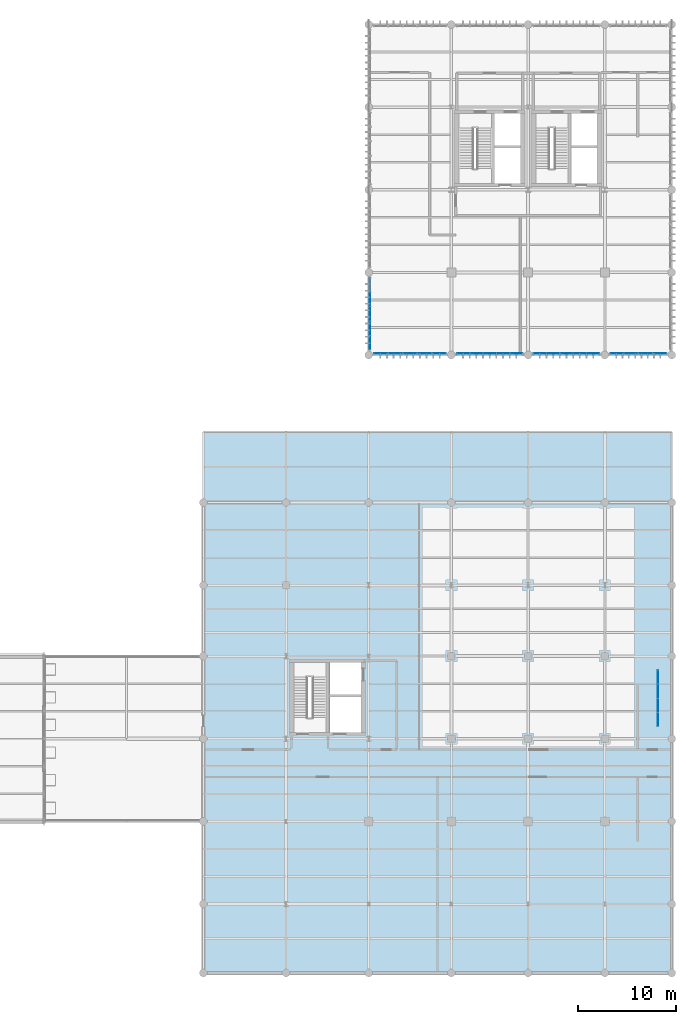
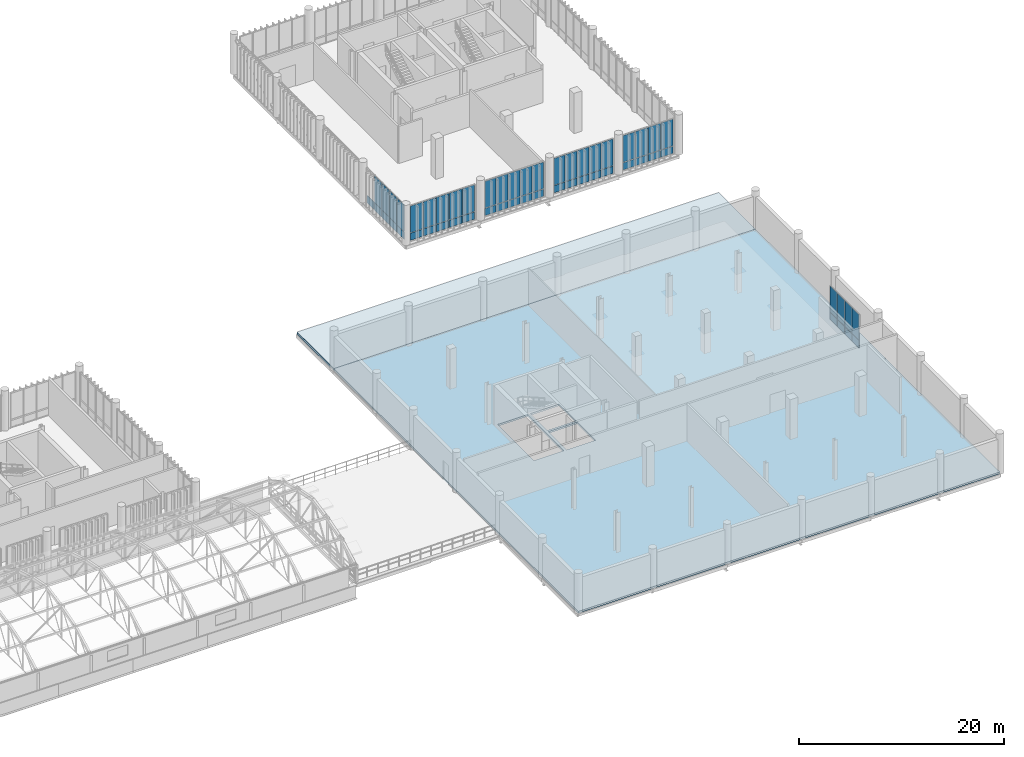
# One storey, part 85 of 109: 55 plates, 2 slabs, 6 elements without a shape of their own.
"""IFC4 building model written with IfcOpenShell, lengths in metres."""

from ifc_helpers import new_model, si_unit, direction, frame, frame_2d, origin_with_axes, place, context, subcontext, project, spatial, polyline, rectangle, outline, extrude, material, layer, layer_set, type_object, element, aggregate, save


model = new_model("IFC4")

# Units and contexts
model_context = context("Model", 3, precision=1e-05, world=origin_with_axes(), true_north=direction((0.0, 1.0)))
body_context = subcontext(model_context, "Body", "Model", "MODEL_VIEW")
ifc_project = project(units=[si_unit("LENGTHUNIT", "METRE"), si_unit("AREAUNIT", "SQUARE_METRE"), si_unit("VOLUMEUNIT", "CUBIC_METRE"), si_unit("PLANEANGLEUNIT", "RADIAN"), si_unit("MASSUNIT", "GRAM", prefix="KILO"), si_unit("THERMODYNAMICTEMPERATUREUNIT", "KELVIN")], contexts=[model_context])

# Site, building, storey
site_placement = place(None, origin_with_axes())
site = spatial("IfcSite", under=ifc_project, at=site_placement, CompositionType="ELEMENT")
building_placement = place(site_placement, origin_with_axes())
building = spatial("IfcBuilding", under=site, at=building_placement, Name="Montbau Bow Law Courts", CompositionType="ELEMENT")
storey_placement = place(building_placement, frame((0.0, 0.0, 10.8), z_axis=(0.0, 0.0, 1.0), x_axis=(1.0, 0.0, 0.0)))
storey = spatial("IfcBuildingStorey", under=building, at=storey_placement, Name="L02", CompositionType="ELEMENT", Elevation=10.8)

# Curtain wall, plates
ifc_material_1 = material(Name="Thermally Broken Extruded Aluminium AA 6063-T6", Category="aluminium")
curtain_wall_type_1 = type_object("IfcCurtainWallType", Name="CW-SLT-01", PredefinedType="NOTDEFINED", material=ifc_material_1)
curtain_wall_1_placement = place(None, frame((139.115, 69.74, 10.8), z_axis=(0.0, 0.0, 1.0), x_axis=(1.0, 0.0, 0.0)))
curtain_wall_1 = element("IfcCurtainWall", 1, at=curtain_wall_1_placement, inside=storey, type_object=curtain_wall_type_1, Name="CW-L02-293:cw_0293", PredefinedType="NOTDEFINED")
ifc_material_2 = material(Name="Triple-Glazed Low-E Argon Insulating Glass Unit", Category="glass")
ifc_layer_1 = layer(ifc_material_2, 0.044, Name="Curtain Panel", Category="glass")
ifc_layer_set_1 = layer_set([ifc_layer_1], Name="Triple-Glazed Low-E Argon Insulating Glass Unit")
plate_type_1 = type_object("IfcPlateType", Name="PL-CWP-01", PredefinedType="CURTAIN_PANEL", material=ifc_layer_set_1)
plate_1_placement = place(None, frame((139.177, 69.74, 11.78), z_axis=(0.0, -1.0, 0.0), x_axis=(1.0, 0.0, 0.0)))
plate_1 = element("IfcPlate", 2, at=plate_1_placement, type_object=plate_type_1, Name="CW-L02-293-P01-2:cw_0293_P01_2", PredefinedType="CURTAIN_PANEL", context=body_context, shape_type="SweptSolid", body=[
    extrude(rectangle(XDim=1.38, YDim=3.183, at=frame_2d((0.69, 1.5915), x_axis=(1.0, 0.0))), frame((0.0, 0.0, -0.022), z_axis=(0.0, 0.0, 1.0), x_axis=(1.0, 0.0, 0.0)), (0.0, 0.0, 1.0), 0.044),
])
plate_2_placement = place(None, frame((140.621, 69.74, 11.78), z_axis=(0.0, -1.0, 0.0), x_axis=(1.0, 0.0, 0.0)))
plate_2 = element("IfcPlate", 3, at=plate_2_placement, type_object=plate_type_1, Name="CW-L02-293-P02-2:cw_0293_P02_2", PredefinedType="CURTAIN_PANEL", context=body_context, shape_type="SweptSolid", body=[
    extrude(rectangle(XDim=1.41, YDim=3.183, at=frame_2d((0.705, 1.5915), x_axis=(1.0, 0.0))), frame((0.0, 0.0, -0.022), z_axis=(0.0, 0.0, 1.0), x_axis=(1.0, 0.0, 0.0)), (0.0, 0.0, 1.0), 0.044),
])
plate_3_placement = place(None, frame((142.095, 69.74, 11.78), z_axis=(0.0, -1.0, 0.0), x_axis=(1.0, 0.0, 0.0)))
plate_3 = element("IfcPlate", 4, at=plate_3_placement, type_object=plate_type_1, Name="CW-L02-293-P03-2:cw_0293_P03_2", PredefinedType="CURTAIN_PANEL", context=body_context, shape_type="SweptSolid", body=[
    extrude(rectangle(XDim=1.41, YDim=3.183, at=frame_2d((0.705, 1.5915), x_axis=(1.0, 0.0))), frame((0.0, 0.0, -0.022), z_axis=(0.0, 0.0, 1.0), x_axis=(1.0, 0.0, 0.0)), (0.0, 0.0, 1.0), 0.044),
])
plate_4_placement = place(None, frame((143.569, 69.74, 11.78), z_axis=(0.0, -1.0, 0.0), x_axis=(1.0, 0.0, 0.0)))
plate_4 = element("IfcPlate", 5, at=plate_4_placement, type_object=plate_type_1, Name="CW-L02-293-P04-2:cw_0293_P04_2", PredefinedType="CURTAIN_PANEL", context=body_context, shape_type="SweptSolid", body=[
    extrude(rectangle(XDim=1.41, YDim=3.183, at=frame_2d((0.705, 1.5915), x_axis=(1.0, 0.0))), frame((0.0, 0.0, -0.022), z_axis=(0.0, 0.0, 1.0), x_axis=(1.0, 0.0, 0.0)), (0.0, 0.0, 1.0), 0.044),
])
plate_5_placement = place(None, frame((145.043, 69.74, 11.78), z_axis=(0.0, -1.0, 0.0), x_axis=(1.0, 0.0, 0.0)))
plate_5 = element("IfcPlate", 6, at=plate_5_placement, type_object=plate_type_1, Name="CW-L02-293-P05-2:cw_0293_P05_2", PredefinedType="CURTAIN_PANEL", context=body_context, shape_type="SweptSolid", body=[
    extrude(rectangle(XDim=1.38, YDim=3.183, at=frame_2d((0.69, 1.5915), x_axis=(1.0, 0.0))), frame((0.0, 0.0, -0.022), z_axis=(0.0, 0.0, 1.0), x_axis=(1.0, 0.0, 0.0)), (0.0, 0.0, 1.0), 0.044),
])

curtain_wall_2_placement = place(None, frame((147.515, 69.74, 10.8), z_axis=(0.0, 0.0, 1.0), x_axis=(1.0, 0.0, 0.0)))
curtain_wall_2 = element("IfcCurtainWall", 7, at=curtain_wall_2_placement, inside=storey, type_object=curtain_wall_type_1, Name="CW-L02-294:cw_0294", PredefinedType="NOTDEFINED")
plate_6_placement = place(None, frame((147.591, 69.74, 11.782), z_axis=(0.0, -1.0, 0.0), x_axis=(1.0, 0.0, 0.0)))
plate_6 = element("IfcPlate", 8, at=plate_6_placement, type_object=plate_type_1, Name="CW-L02-294-P01-2:cw_0294_P01_2", PredefinedType="CURTAIN_PANEL", context=body_context, shape_type="SweptSolid", body=[
    extrude(rectangle(XDim=1.239, YDim=3.176, at=frame_2d((0.6195, 1.588), x_axis=(1.0, 0.0))), frame((0.0, 0.0, -0.022), z_axis=(0.0, 0.0, 1.0), x_axis=(1.0, 0.0, 0.0)), (0.0, 0.0, 1.0), 0.044),
])
plate_7_placement = place(None, frame((148.909, 69.74, 11.782), z_axis=(0.0, -1.0, 0.0), x_axis=(1.0, 0.0, 0.0)))
plate_7 = element("IfcPlate", 9, at=plate_7_placement, type_object=plate_type_1, Name="CW-L02-294-P02-2:cw_0294_P02_2", PredefinedType="CURTAIN_PANEL", context=body_context, shape_type="SweptSolid", body=[
    extrude(rectangle(XDim=1.275, YDim=3.176, at=frame_2d((0.6375, 1.588), x_axis=(1.0, 0.0))), frame((0.0, 0.0, -0.022), z_axis=(0.0, 0.0, 1.0), x_axis=(1.0, 0.0, 0.0)), (0.0, 0.0, 1.0), 0.044),
])
plate_8_placement = place(None, frame((150.263, 69.74, 11.782), z_axis=(0.0, -1.0, 0.0), x_axis=(1.0, 0.0, 0.0)))
plate_8 = element("IfcPlate", 10, at=plate_8_placement, type_object=plate_type_1, Name="CW-L02-294-P03-2:cw_0294_P03_2", PredefinedType="CURTAIN_PANEL", context=body_context, shape_type="SweptSolid", body=[
    extrude(rectangle(XDim=1.275, YDim=3.176, at=frame_2d((0.6375, 1.588), x_axis=(1.0, 0.0))), frame((0.0, 0.0, -0.022), z_axis=(0.0, 0.0, 1.0), x_axis=(1.0, 0.0, 0.0)), (0.0, 0.0, 1.0), 0.044),
])
plate_9_placement = place(None, frame((151.616, 69.74, 11.782), z_axis=(0.0, -1.0, 0.0), x_axis=(1.0, 0.0, 0.0)))
plate_9 = element("IfcPlate", 11, at=plate_9_placement, type_object=plate_type_1, Name="CW-L02-294-P04-2:cw_0294_P04_2", PredefinedType="CURTAIN_PANEL", context=body_context, shape_type="SweptSolid", body=[
    extrude(rectangle(XDim=1.276, YDim=3.176, at=frame_2d((0.638, 1.588), x_axis=(1.0, 0.0))), frame((0.0, 0.0, -0.022), z_axis=(0.0, 0.0, 1.0), x_axis=(1.0, 0.0, 0.0)), (0.0, 0.0, 1.0), 0.044),
])
plate_10_placement = place(None, frame((152.97, 69.74, 11.782), z_axis=(0.0, -1.0, 0.0), x_axis=(1.0, 0.0, 0.0)))
plate_10 = element("IfcPlate", 12, at=plate_10_placement, type_object=plate_type_1, Name="CW-L02-294-P05-2:cw_0294_P05_2", PredefinedType="CURTAIN_PANEL", context=body_context, shape_type="SweptSolid", body=[
    extrude(rectangle(XDim=1.239, YDim=3.176, at=frame_2d((0.6195, 1.588), x_axis=(1.0, 0.0))), frame((0.0, 0.0, -0.022), z_axis=(0.0, 0.0, 1.0), x_axis=(1.0, 0.0, 0.0)), (0.0, 0.0, 1.0), 0.044),
])

curtain_wall_3_placement = place(None, frame((155.315, 69.74, 10.8), z_axis=(0.0, 0.0, 1.0), x_axis=(1.0, 0.0, 0.0)))
curtain_wall_3 = element("IfcCurtainWall", 13, at=curtain_wall_3_placement, inside=storey, type_object=curtain_wall_type_1, Name="CW-L02-295:cw_0295", PredefinedType="NOTDEFINED")
plate_11_placement = place(None, frame((155.383, 69.74, 11.78), z_axis=(0.0, -1.0, 0.0), x_axis=(1.0, 0.0, 0.0)))
plate_11 = element("IfcPlate", 14, at=plate_11_placement, type_object=plate_type_1, Name="CW-L02-295-P01-2:cw_0295_P01_2", PredefinedType="CURTAIN_PANEL", context=body_context, shape_type="SweptSolid", body=[
    extrude(rectangle(XDim=1.252, YDim=3.183, at=frame_2d((0.626, 1.5915), x_axis=(1.0, 0.0))), frame((0.0, 0.0, -0.022), z_axis=(0.0, 0.0, 1.0), x_axis=(1.0, 0.0, 0.0)), (0.0, 0.0, 1.0), 0.044),
])
plate_12_placement = place(None, frame((156.704, 69.74, 11.78), z_axis=(0.0, -1.0, 0.0), x_axis=(1.0, 0.0, 0.0)))
plate_12 = element("IfcPlate", 15, at=plate_12_placement, type_object=plate_type_1, Name="CW-L02-295-P02-2:cw_0295_P02_2", PredefinedType="CURTAIN_PANEL", context=body_context, shape_type="SweptSolid", body=[
    extrude(rectangle(XDim=1.285, YDim=3.183, at=frame_2d((0.6425, 1.5915), x_axis=(1.0, 0.0))), frame((0.0, 0.0, -0.022), z_axis=(0.0, 0.0, 1.0), x_axis=(1.0, 0.0, 0.0)), (0.0, 0.0, 1.0), 0.044),
])
plate_13_placement = place(None, frame((158.058, 69.74, 11.78), z_axis=(0.0, -1.0, 0.0), x_axis=(1.0, 0.0, 0.0)))
plate_13 = element("IfcPlate", 16, at=plate_13_placement, type_object=plate_type_1, Name="CW-L02-295-P03-2:cw_0295_P03_2", PredefinedType="CURTAIN_PANEL", context=body_context, shape_type="SweptSolid", body=[
    extrude(rectangle(XDim=1.285, YDim=3.183, at=frame_2d((0.6425, 1.5915), x_axis=(1.0, 0.0))), frame((0.0, 0.0, -0.022), z_axis=(0.0, 0.0, 1.0), x_axis=(1.0, 0.0, 0.0)), (0.0, 0.0, 1.0), 0.044),
])
plate_14_placement = place(None, frame((159.411, 69.74, 11.78), z_axis=(0.0, -1.0, 0.0), x_axis=(1.0, 0.0, 0.0)))
plate_14 = element("IfcPlate", 17, at=plate_14_placement, type_object=plate_type_1, Name="CW-L02-295-P04-2:cw_0295_P04_2", PredefinedType="CURTAIN_PANEL", context=body_context, shape_type="SweptSolid", body=[
    extrude(rectangle(XDim=1.286, YDim=3.183, at=frame_2d((0.643, 1.5915), x_axis=(1.0, 0.0))), frame((0.0, 0.0, -0.022), z_axis=(0.0, 0.0, 1.0), x_axis=(1.0, 0.0, 0.0)), (0.0, 0.0, 1.0), 0.044),
])
plate_15_placement = place(None, frame((160.765, 69.74, 11.78), z_axis=(0.0, -1.0, 0.0), x_axis=(1.0, 0.0, 0.0)))
plate_15 = element("IfcPlate", 18, at=plate_15_placement, type_object=plate_type_1, Name="CW-L02-295-P05-2:cw_0295_P05_2", PredefinedType="CURTAIN_PANEL", context=body_context, shape_type="SweptSolid", body=[
    extrude(rectangle(XDim=1.254, YDim=3.183, at=frame_2d((0.627, 1.5915), x_axis=(1.0, 0.0))), frame((0.0, 0.0, -0.022), z_axis=(0.0, 0.0, 1.0), x_axis=(1.0, 0.0, 0.0)), (0.0, 0.0, 1.0), 0.044),
])

curtain_wall_4_placement = place(None, frame((163.115, 69.74, 10.8), z_axis=(0.0, 0.0, 1.0), x_axis=(1.0, 0.0, 0.0)))
curtain_wall_4 = element("IfcCurtainWall", 19, at=curtain_wall_4_placement, inside=storey, type_object=curtain_wall_type_1, Name="CW-L02-296:cw_0296", PredefinedType="NOTDEFINED")
plate_16_placement = place(None, frame((163.177, 69.74, 11.782), z_axis=(0.0, -1.0, 0.0), x_axis=(1.0, 0.0, 0.0)))
plate_16 = element("IfcPlate", 20, at=plate_16_placement, type_object=plate_type_1, Name="CW-L02-296-P01-2:cw_0296_P01_2", PredefinedType="CURTAIN_PANEL", context=body_context, shape_type="SweptSolid", body=[
    extrude(rectangle(XDim=1.348, YDim=3.176, at=frame_2d((0.674, 1.588), x_axis=(1.0, 0.0))), frame((0.0, 0.0, -0.022), z_axis=(0.0, 0.0, 1.0), x_axis=(1.0, 0.0, 0.0)), (0.0, 0.0, 1.0), 0.044),
])
plate_17_placement = place(None, frame((164.589, 69.74, 11.782), z_axis=(0.0, -1.0, 0.0), x_axis=(1.0, 0.0, 0.0)))
plate_17 = element("IfcPlate", 21, at=plate_17_placement, type_object=plate_type_1, Name="CW-L02-296-P02-2:cw_0296_P02_2", PredefinedType="CURTAIN_PANEL", context=body_context, shape_type="SweptSolid", body=[
    extrude(rectangle(XDim=1.379, YDim=3.176, at=frame_2d((0.6895, 1.588), x_axis=(1.0, 0.0))), frame((0.0, 0.0, -0.022), z_axis=(0.0, 0.0, 1.0), x_axis=(1.0, 0.0, 0.0)), (0.0, 0.0, 1.0), 0.044),
])
plate_18_placement = place(None, frame((166.032, 69.74, 11.782), z_axis=(0.0, -1.0, 0.0), x_axis=(1.0, 0.0, 0.0)))
plate_18 = element("IfcPlate", 22, at=plate_18_placement, type_object=plate_type_1, Name="CW-L02-296-P03-2:cw_0296_P03_2", PredefinedType="CURTAIN_PANEL", context=body_context, shape_type="SweptSolid", body=[
    extrude(rectangle(XDim=1.378, YDim=3.176, at=frame_2d((0.689, 1.588), x_axis=(1.0, 0.0))), frame((0.0, 0.0, -0.022), z_axis=(0.0, 0.0, 1.0), x_axis=(1.0, 0.0, 0.0)), (0.0, 0.0, 1.0), 0.044),
])
plate_19_placement = place(None, frame((167.474, 69.74, 11.782), z_axis=(0.0, -1.0, 0.0), x_axis=(1.0, 0.0, 0.0)))
plate_19 = element("IfcPlate", 23, at=plate_19_placement, type_object=plate_type_1, Name="CW-L02-296-P04-2:cw_0296_P04_2", PredefinedType="CURTAIN_PANEL", context=body_context, shape_type="SweptSolid", body=[
    extrude(rectangle(XDim=1.349, YDim=3.176, at=frame_2d((0.6745, 1.588), x_axis=(1.0, 0.0))), frame((0.0, 0.0, -0.022), z_axis=(0.0, 0.0, 1.0), x_axis=(1.0, 0.0, 0.0)), (0.0, 0.0, 1.0), 0.044),
])

curtain_wall_5_placement = place(None, frame((138.74, 70.115, 10.8), z_axis=(0.0, 0.0, 1.0), x_axis=(1.0, 0.0, 0.0)))
curtain_wall_5 = element("IfcCurtainWall", 24, at=curtain_wall_5_placement, inside=storey, type_object=curtain_wall_type_1, Name="CW-L02-301:cw_0301", PredefinedType="NOTDEFINED")
plate_20_placement = place(None, frame((138.74, 70.183, 11.78), z_axis=(1.0, 0.0, 0.0), x_axis=(0.0, 1.0, 0.0)))
plate_20 = element("IfcPlate", 25, at=plate_20_placement, type_object=plate_type_1, Name="CW-L02-301-P01-2:cw_0301_P01_2", PredefinedType="CURTAIN_PANEL", context=body_context, shape_type="SweptSolid", body=[
    extrude(rectangle(XDim=1.372, YDim=3.183, at=frame_2d((0.686, 1.5915), x_axis=(1.0, 0.0))), frame((0.0, 0.0, -0.022), z_axis=(0.0, 0.0, 1.0), x_axis=(1.0, 0.0, 0.0)), (0.0, 0.0, 1.0), 0.044),
])
plate_21_placement = place(None, frame((138.74, 71.623, 11.78), z_axis=(1.0, 0.0, 0.0), x_axis=(0.0, 1.0, 0.0)))
plate_21 = element("IfcPlate", 26, at=plate_21_placement, type_object=plate_type_1, Name="CW-L02-301-P02-2:cw_0301_P02_2", PredefinedType="CURTAIN_PANEL", context=body_context, shape_type="SweptSolid", body=[
    extrude(rectangle(XDim=1.405, YDim=3.183, at=frame_2d((0.7025, 1.5915), x_axis=(1.0, 0.0))), frame((0.0, 0.0, -0.022), z_axis=(0.0, 0.0, 1.0), x_axis=(1.0, 0.0, 0.0)), (0.0, 0.0, 1.0), 0.044),
])
plate_22_placement = place(None, frame((138.74, 73.097, 11.78), z_axis=(1.0, 0.0, 0.0), x_axis=(0.0, 1.0, 0.0)))
plate_22 = element("IfcPlate", 27, at=plate_22_placement, type_object=plate_type_1, Name="CW-L02-301-P03-2:cw_0301_P03_2", PredefinedType="CURTAIN_PANEL", context=body_context, shape_type="SweptSolid", body=[
    extrude(rectangle(XDim=1.406, YDim=3.183, at=frame_2d((0.703, 1.5915), x_axis=(1.0, 0.0))), frame((0.0, 0.0, -0.022), z_axis=(0.0, 0.0, 1.0), x_axis=(1.0, 0.0, 0.0)), (0.0, 0.0, 1.0), 0.044),
])
plate_23_placement = place(None, frame((138.74, 74.571, 11.78), z_axis=(1.0, 0.0, 0.0), x_axis=(0.0, 1.0, 0.0)))
plate_23 = element("IfcPlate", 28, at=plate_23_placement, type_object=plate_type_1, Name="CW-L02-301-P04-2:cw_0301_P04_2", PredefinedType="CURTAIN_PANEL", context=body_context, shape_type="SweptSolid", body=[
    extrude(rectangle(XDim=1.406, YDim=3.183, at=frame_2d((0.703, 1.5915), x_axis=(1.0, 0.0))), frame((0.0, 0.0, -0.022), z_axis=(0.0, 0.0, 1.0), x_axis=(1.0, 0.0, 0.0)), (0.0, 0.0, 1.0), 0.044),
])

curtain_wall_type_2 = type_object("IfcCurtainWallType", Name="CW-COR-01", PredefinedType="NOTDEFINED", material=ifc_material_1)
curtain_wall_6_placement = place(None, frame((168.0, 31.8, 10.8), z_axis=(0.0, 0.0, 1.0), x_axis=(1.0, 0.0, 0.0)))
curtain_wall_6 = element("IfcCurtainWall", 29, at=curtain_wall_6_placement, inside=storey, type_object=curtain_wall_type_2, Name="CW-L02-413:cw_0413", PredefinedType="NOTDEFINED")
plate_24_placement = place(None, frame((168.0, 31.862, 11.78), z_axis=(1.0, 0.0, 0.0), x_axis=(0.0, 1.0, 0.0)))
plate_24 = element("IfcPlate", 30, at=plate_24_placement, type_object=plate_type_1, Name="CW-L02-413-P01-2:cw_0413_P01_2", PredefinedType="CURTAIN_PANEL", context=body_context, shape_type="SweptSolid", body=[
    extrude(rectangle(XDim=1.356, YDim=3.063, at=frame_2d((0.678, 1.5315), x_axis=(1.0, 0.0))), frame((0.0, 0.0, -0.022), z_axis=(0.0, 0.0, 1.0), x_axis=(1.0, 0.0, 0.0)), (0.0, 0.0, 1.0), 0.044),
])
plate_25_placement = place(None, frame((168.0, 33.282, 11.78), z_axis=(1.0, 0.0, 0.0), x_axis=(0.0, 1.0, 0.0)))
plate_25 = element("IfcPlate", 31, at=plate_25_placement, type_object=plate_type_1, Name="CW-L02-413-P02-2:cw_0413_P02_2", PredefinedType="CURTAIN_PANEL", context=body_context, shape_type="SweptSolid", body=[
    extrude(rectangle(XDim=1.386, YDim=3.063, at=frame_2d((0.693, 1.5315), x_axis=(1.0, 0.0))), frame((0.0, 0.0, -0.022), z_axis=(0.0, 0.0, 1.0), x_axis=(1.0, 0.0, 0.0)), (0.0, 0.0, 1.0), 0.044),
])
plate_26_placement = place(None, frame((168.0, 34.732, 11.78), z_axis=(1.0, 0.0, 0.0), x_axis=(0.0, 1.0, 0.0)))
plate_26 = element("IfcPlate", 32, at=plate_26_placement, type_object=plate_type_1, Name="CW-L02-413-P03-2:cw_0413_P03_2", PredefinedType="CURTAIN_PANEL", context=body_context, shape_type="SweptSolid", body=[
    extrude(rectangle(XDim=1.386, YDim=3.063, at=frame_2d((0.693, 1.5315), x_axis=(1.0, 0.0))), frame((0.0, 0.0, -0.022), z_axis=(0.0, 0.0, 1.0), x_axis=(1.0, 0.0, 0.0)), (0.0, 0.0, 1.0), 0.044),
])
plate_27_placement = place(None, frame((168.0, 36.182, 11.78), z_axis=(1.0, 0.0, 0.0), x_axis=(0.0, 1.0, 0.0)))
plate_27 = element("IfcPlate", 33, at=plate_27_placement, type_object=plate_type_1, Name="CW-L02-413-P04-2:cw_0413_P04_2", PredefinedType="CURTAIN_PANEL", context=body_context, shape_type="SweptSolid", body=[
    extrude(rectangle(XDim=1.356, YDim=3.063, at=frame_2d((0.678, 1.5315), x_axis=(1.0, 0.0))), frame((0.0, 0.0, -0.022), z_axis=(0.0, 0.0, 1.0), x_axis=(1.0, 0.0, 0.0)), (0.0, 0.0, 1.0), 0.044),
])

# Plate
ifc_material_3 = material(Name="Insulated Ceramic-Frit Spandrel Glazing Unit", Category="glass")
ifc_layer_2 = layer(ifc_material_3, 0.056, Name="Curtain Panel", Category="glass")
ifc_layer_set_2 = layer_set([ifc_layer_2], Name="Insulated Ceramic-Frit Spandrel Glazing Unit")
plate_type_2 = type_object("IfcPlateType", Name="PL-CWP-02", PredefinedType="CURTAIN_PANEL", material=ifc_layer_set_2)
plate_28_placement = place(None, frame((139.177, 69.74, 10.857), z_axis=(0.0, -1.0, 0.0), x_axis=(1.0, 0.0, 0.0)))
plate_28 = element("IfcPlate", 34, at=plate_28_placement, type_object=plate_type_2, Name="CW-L02-293-P01-1:cw_0293_P01_1", PredefinedType="CURTAIN_PANEL", context=body_context, shape_type="SweptSolid", body=[
    extrude(rectangle(XDim=1.38, YDim=0.863, at=frame_2d((0.69, 0.4315), x_axis=(1.0, 0.0))), frame((0.0, 0.0, -0.028), z_axis=(0.0, 0.0, 1.0), x_axis=(1.0, 0.0, 0.0)), (0.0, 0.0, 1.0), 0.056),
])

plate_29_placement = place(None, frame((140.621, 69.74, 10.857), z_axis=(0.0, -1.0, 0.0), x_axis=(1.0, 0.0, 0.0)))
plate_29 = element("IfcPlate", 35, at=plate_29_placement, type_object=plate_type_2, Name="CW-L02-293-P02-1:cw_0293_P02_1", PredefinedType="CURTAIN_PANEL", context=body_context, shape_type="SweptSolid", body=[
    extrude(rectangle(XDim=1.41, YDim=0.863, at=frame_2d((0.705, 0.4315), x_axis=(1.0, 0.0))), frame((0.0, 0.0, -0.028), z_axis=(0.0, 0.0, 1.0), x_axis=(1.0, 0.0, 0.0)), (0.0, 0.0, 1.0), 0.056),
])

plate_30_placement = place(None, frame((142.095, 69.74, 10.857), z_axis=(0.0, -1.0, 0.0), x_axis=(1.0, 0.0, 0.0)))
plate_30 = element("IfcPlate", 36, at=plate_30_placement, type_object=plate_type_2, Name="CW-L02-293-P03-1:cw_0293_P03_1", PredefinedType="CURTAIN_PANEL", context=body_context, shape_type="SweptSolid", body=[
    extrude(rectangle(XDim=1.41, YDim=0.863, at=frame_2d((0.705, 0.4315), x_axis=(1.0, 0.0))), frame((0.0, 0.0, -0.028), z_axis=(0.0, 0.0, 1.0), x_axis=(1.0, 0.0, 0.0)), (0.0, 0.0, 1.0), 0.056),
])

plate_31_placement = place(None, frame((143.569, 69.74, 10.857), z_axis=(0.0, -1.0, 0.0), x_axis=(1.0, 0.0, 0.0)))
plate_31 = element("IfcPlate", 37, at=plate_31_placement, type_object=plate_type_2, Name="CW-L02-293-P04-1:cw_0293_P04_1", PredefinedType="CURTAIN_PANEL", context=body_context, shape_type="SweptSolid", body=[
    extrude(rectangle(XDim=1.41, YDim=0.863, at=frame_2d((0.705, 0.4315), x_axis=(1.0, 0.0))), frame((0.0, 0.0, -0.028), z_axis=(0.0, 0.0, 1.0), x_axis=(1.0, 0.0, 0.0)), (0.0, 0.0, 1.0), 0.056),
])

plate_32_placement = place(None, frame((145.043, 69.74, 10.857), z_axis=(0.0, -1.0, 0.0), x_axis=(1.0, 0.0, 0.0)))
plate_32 = element("IfcPlate", 38, at=plate_32_placement, type_object=plate_type_2, Name="CW-L02-293-P05-1:cw_0293_P05_1", PredefinedType="CURTAIN_PANEL", context=body_context, shape_type="SweptSolid", body=[
    extrude(rectangle(XDim=1.38, YDim=0.863, at=frame_2d((0.69, 0.4315), x_axis=(1.0, 0.0))), frame((0.0, 0.0, -0.028), z_axis=(0.0, 0.0, 1.0), x_axis=(1.0, 0.0, 0.0)), (0.0, 0.0, 1.0), 0.056),
])

aggregate(curtain_wall_1, [plate_28, plate_1, plate_29, plate_2, plate_30, plate_3, plate_31, plate_4, plate_32, plate_5])

plate_33_placement = place(None, frame((147.591, 69.74, 10.862), z_axis=(0.0, -1.0, 0.0), x_axis=(1.0, 0.0, 0.0)))
plate_33 = element("IfcPlate", 39, at=plate_33_placement, type_object=plate_type_2, Name="CW-L02-294-P01-1:cw_0294_P01_1", PredefinedType="CURTAIN_PANEL", context=body_context, shape_type="SweptSolid", body=[
    extrude(rectangle(XDim=1.239, YDim=0.856, at=frame_2d((0.6195, 0.428), x_axis=(1.0, 0.0))), frame((0.0, 0.0, -0.028), z_axis=(0.0, 0.0, 1.0), x_axis=(1.0, 0.0, 0.0)), (0.0, 0.0, 1.0), 0.056),
])

plate_34_placement = place(None, frame((148.909, 69.74, 10.862), z_axis=(0.0, -1.0, 0.0), x_axis=(1.0, 0.0, 0.0)))
plate_34 = element("IfcPlate", 40, at=plate_34_placement, type_object=plate_type_2, Name="CW-L02-294-P02-1:cw_0294_P02_1", PredefinedType="CURTAIN_PANEL", context=body_context, shape_type="SweptSolid", body=[
    extrude(rectangle(XDim=1.275, YDim=0.856, at=frame_2d((0.6375, 0.428), x_axis=(1.0, 0.0))), frame((0.0, 0.0, -0.028), z_axis=(0.0, 0.0, 1.0), x_axis=(1.0, 0.0, 0.0)), (0.0, 0.0, 1.0), 0.056),
])

plate_35_placement = place(None, frame((150.263, 69.74, 10.862), z_axis=(0.0, -1.0, 0.0), x_axis=(1.0, 0.0, 0.0)))
plate_35 = element("IfcPlate", 41, at=plate_35_placement, type_object=plate_type_2, Name="CW-L02-294-P03-1:cw_0294_P03_1", PredefinedType="CURTAIN_PANEL", context=body_context, shape_type="SweptSolid", body=[
    extrude(rectangle(XDim=1.275, YDim=0.856, at=frame_2d((0.6375, 0.428), x_axis=(1.0, 0.0))), frame((0.0, 0.0, -0.028), z_axis=(0.0, 0.0, 1.0), x_axis=(1.0, 0.0, 0.0)), (0.0, 0.0, 1.0), 0.056),
])

plate_36_placement = place(None, frame((151.616, 69.74, 10.862), z_axis=(0.0, -1.0, 0.0), x_axis=(1.0, 0.0, 0.0)))
plate_36 = element("IfcPlate", 42, at=plate_36_placement, type_object=plate_type_2, Name="CW-L02-294-P04-1:cw_0294_P04_1", PredefinedType="CURTAIN_PANEL", context=body_context, shape_type="SweptSolid", body=[
    extrude(rectangle(XDim=1.276, YDim=0.856, at=frame_2d((0.638, 0.428), x_axis=(1.0, 0.0))), frame((0.0, 0.0, -0.028), z_axis=(0.0, 0.0, 1.0), x_axis=(1.0, 0.0, 0.0)), (0.0, 0.0, 1.0), 0.056),
])

plate_37_placement = place(None, frame((152.97, 69.74, 10.862), z_axis=(0.0, -1.0, 0.0), x_axis=(1.0, 0.0, 0.0)))
plate_37 = element("IfcPlate", 43, at=plate_37_placement, type_object=plate_type_2, Name="CW-L02-294-P05-1:cw_0294_P05_1", PredefinedType="CURTAIN_PANEL", context=body_context, shape_type="SweptSolid", body=[
    extrude(rectangle(XDim=1.239, YDim=0.856, at=frame_2d((0.6195, 0.428), x_axis=(1.0, 0.0))), frame((0.0, 0.0, -0.028), z_axis=(0.0, 0.0, 1.0), x_axis=(1.0, 0.0, 0.0)), (0.0, 0.0, 1.0), 0.056),
])

aggregate(curtain_wall_2, [plate_33, plate_6, plate_34, plate_7, plate_35, plate_8, plate_36, plate_9, plate_37, plate_10])

plate_38_placement = place(None, frame((155.383, 69.74, 10.857), z_axis=(0.0, -1.0, 0.0), x_axis=(1.0, 0.0, 0.0)))
plate_38 = element("IfcPlate", 44, at=plate_38_placement, type_object=plate_type_2, Name="CW-L02-295-P01-1:cw_0295_P01_1", PredefinedType="CURTAIN_PANEL", context=body_context, shape_type="SweptSolid", body=[
    extrude(rectangle(XDim=1.252, YDim=0.863, at=frame_2d((0.626, 0.4315), x_axis=(1.0, 0.0))), frame((0.0, 0.0, -0.028), z_axis=(0.0, 0.0, 1.0), x_axis=(1.0, 0.0, 0.0)), (0.0, 0.0, 1.0), 0.056),
])

plate_39_placement = place(None, frame((156.704, 69.74, 10.857), z_axis=(0.0, -1.0, 0.0), x_axis=(1.0, 0.0, 0.0)))
plate_39 = element("IfcPlate", 45, at=plate_39_placement, type_object=plate_type_2, Name="CW-L02-295-P02-1:cw_0295_P02_1", PredefinedType="CURTAIN_PANEL", context=body_context, shape_type="SweptSolid", body=[
    extrude(rectangle(XDim=1.285, YDim=0.863, at=frame_2d((0.6425, 0.4315), x_axis=(1.0, 0.0))), frame((0.0, 0.0, -0.028), z_axis=(0.0, 0.0, 1.0), x_axis=(1.0, 0.0, 0.0)), (0.0, 0.0, 1.0), 0.056),
])

plate_40_placement = place(None, frame((158.058, 69.74, 10.857), z_axis=(0.0, -1.0, 0.0), x_axis=(1.0, 0.0, 0.0)))
plate_40 = element("IfcPlate", 46, at=plate_40_placement, type_object=plate_type_2, Name="CW-L02-295-P03-1:cw_0295_P03_1", PredefinedType="CURTAIN_PANEL", context=body_context, shape_type="SweptSolid", body=[
    extrude(rectangle(XDim=1.285, YDim=0.863, at=frame_2d((0.6425, 0.4315), x_axis=(1.0, 0.0))), frame((0.0, 0.0, -0.028), z_axis=(0.0, 0.0, 1.0), x_axis=(1.0, 0.0, 0.0)), (0.0, 0.0, 1.0), 0.056),
])

plate_41_placement = place(None, frame((159.411, 69.74, 10.857), z_axis=(0.0, -1.0, 0.0), x_axis=(1.0, 0.0, 0.0)))
plate_41 = element("IfcPlate", 47, at=plate_41_placement, type_object=plate_type_2, Name="CW-L02-295-P04-1:cw_0295_P04_1", PredefinedType="CURTAIN_PANEL", context=body_context, shape_type="SweptSolid", body=[
    extrude(rectangle(XDim=1.286, YDim=0.863, at=frame_2d((0.643, 0.4315), x_axis=(1.0, 0.0))), frame((0.0, 0.0, -0.028), z_axis=(0.0, 0.0, 1.0), x_axis=(1.0, 0.0, 0.0)), (0.0, 0.0, 1.0), 0.056),
])

plate_42_placement = place(None, frame((160.765, 69.74, 10.857), z_axis=(0.0, -1.0, 0.0), x_axis=(1.0, 0.0, 0.0)))
plate_42 = element("IfcPlate", 48, at=plate_42_placement, type_object=plate_type_2, Name="CW-L02-295-P05-1:cw_0295_P05_1", PredefinedType="CURTAIN_PANEL", context=body_context, shape_type="SweptSolid", body=[
    extrude(rectangle(XDim=1.254, YDim=0.863, at=frame_2d((0.627, 0.4315), x_axis=(1.0, 0.0))), frame((0.0, 0.0, -0.028), z_axis=(0.0, 0.0, 1.0), x_axis=(1.0, 0.0, 0.0)), (0.0, 0.0, 1.0), 0.056),
])

aggregate(curtain_wall_3, [plate_38, plate_11, plate_39, plate_12, plate_40, plate_13, plate_41, plate_14, plate_42, plate_15])

plate_43_placement = place(None, frame((163.177, 69.74, 10.862), z_axis=(0.0, -1.0, 0.0), x_axis=(1.0, 0.0, 0.0)))
plate_43 = element("IfcPlate", 49, at=plate_43_placement, type_object=plate_type_2, Name="CW-L02-296-P01-1:cw_0296_P01_1", PredefinedType="CURTAIN_PANEL", context=body_context, shape_type="SweptSolid", body=[
    extrude(rectangle(XDim=1.348, YDim=0.856, at=frame_2d((0.674, 0.428), x_axis=(1.0, 0.0))), frame((0.0, 0.0, -0.028), z_axis=(0.0, 0.0, 1.0), x_axis=(1.0, 0.0, 0.0)), (0.0, 0.0, 1.0), 0.056),
])

plate_44_placement = place(None, frame((164.589, 69.74, 10.862), z_axis=(0.0, -1.0, 0.0), x_axis=(1.0, 0.0, 0.0)))
plate_44 = element("IfcPlate", 50, at=plate_44_placement, type_object=plate_type_2, Name="CW-L02-296-P02-1:cw_0296_P02_1", PredefinedType="CURTAIN_PANEL", context=body_context, shape_type="SweptSolid", body=[
    extrude(rectangle(XDim=1.379, YDim=0.856, at=frame_2d((0.6895, 0.428), x_axis=(1.0, 0.0))), frame((0.0, 0.0, -0.028), z_axis=(0.0, 0.0, 1.0), x_axis=(1.0, 0.0, 0.0)), (0.0, 0.0, 1.0), 0.056),
])

plate_45_placement = place(None, frame((166.032, 69.74, 10.862), z_axis=(0.0, -1.0, 0.0), x_axis=(1.0, 0.0, 0.0)))
plate_45 = element("IfcPlate", 51, at=plate_45_placement, type_object=plate_type_2, Name="CW-L02-296-P03-1:cw_0296_P03_1", PredefinedType="CURTAIN_PANEL", context=body_context, shape_type="SweptSolid", body=[
    extrude(rectangle(XDim=1.378, YDim=0.856, at=frame_2d((0.689, 0.428), x_axis=(1.0, 0.0))), frame((0.0, 0.0, -0.028), z_axis=(0.0, 0.0, 1.0), x_axis=(1.0, 0.0, 0.0)), (0.0, 0.0, 1.0), 0.056),
])

plate_46_placement = place(None, frame((167.474, 69.74, 10.862), z_axis=(0.0, -1.0, 0.0), x_axis=(1.0, 0.0, 0.0)))
plate_46 = element("IfcPlate", 52, at=plate_46_placement, type_object=plate_type_2, Name="CW-L02-296-P04-1:cw_0296_P04_1", PredefinedType="CURTAIN_PANEL", context=body_context, shape_type="SweptSolid", body=[
    extrude(rectangle(XDim=1.349, YDim=0.856, at=frame_2d((0.6745, 0.428), x_axis=(1.0, 0.0))), frame((0.0, 0.0, -0.028), z_axis=(0.0, 0.0, 1.0), x_axis=(1.0, 0.0, 0.0)), (0.0, 0.0, 1.0), 0.056),
])

aggregate(curtain_wall_4, [plate_43, plate_16, plate_44, plate_17, plate_45, plate_18, plate_46, plate_19])

plate_47_placement = place(None, frame((138.74, 70.183, 10.857), z_axis=(1.0, 0.0, 0.0), x_axis=(0.0, 1.0, 0.0)))
plate_47 = element("IfcPlate", 53, at=plate_47_placement, type_object=plate_type_2, Name="CW-L02-301-P01-1:cw_0301_P01_1", PredefinedType="CURTAIN_PANEL", context=body_context, shape_type="SweptSolid", body=[
    extrude(rectangle(XDim=1.372, YDim=0.863, at=frame_2d((0.686, 0.4315), x_axis=(1.0, 0.0))), frame((0.0, 0.0, -0.028), z_axis=(0.0, 0.0, 1.0), x_axis=(1.0, 0.0, 0.0)), (0.0, 0.0, 1.0), 0.056),
])

plate_48_placement = place(None, frame((138.74, 71.623, 10.857), z_axis=(1.0, 0.0, 0.0), x_axis=(0.0, 1.0, 0.0)))
plate_48 = element("IfcPlate", 54, at=plate_48_placement, type_object=plate_type_2, Name="CW-L02-301-P02-1:cw_0301_P02_1", PredefinedType="CURTAIN_PANEL", context=body_context, shape_type="SweptSolid", body=[
    extrude(rectangle(XDim=1.405, YDim=0.863, at=frame_2d((0.7025, 0.4315), x_axis=(1.0, 0.0))), frame((0.0, 0.0, -0.028), z_axis=(0.0, 0.0, 1.0), x_axis=(1.0, 0.0, 0.0)), (0.0, 0.0, 1.0), 0.056),
])

plate_49_placement = place(None, frame((138.74, 73.097, 10.857), z_axis=(1.0, 0.0, 0.0), x_axis=(0.0, 1.0, 0.0)))
plate_49 = element("IfcPlate", 55, at=plate_49_placement, type_object=plate_type_2, Name="CW-L02-301-P03-1:cw_0301_P03_1", PredefinedType="CURTAIN_PANEL", context=body_context, shape_type="SweptSolid", body=[
    extrude(rectangle(XDim=1.406, YDim=0.863, at=frame_2d((0.703, 0.4315), x_axis=(1.0, 0.0))), frame((0.0, 0.0, -0.028), z_axis=(0.0, 0.0, 1.0), x_axis=(1.0, 0.0, 0.0)), (0.0, 0.0, 1.0), 0.056),
])

plate_50_placement = place(None, frame((138.74, 74.571, 10.857), z_axis=(1.0, 0.0, 0.0), x_axis=(0.0, 1.0, 0.0)))
plate_50 = element("IfcPlate", 56, at=plate_50_placement, type_object=plate_type_2, Name="CW-L02-301-P04-1:cw_0301_P04_1", PredefinedType="CURTAIN_PANEL", context=body_context, shape_type="SweptSolid", body=[
    extrude(rectangle(XDim=1.406, YDim=0.863, at=frame_2d((0.703, 0.4315), x_axis=(1.0, 0.0))), frame((0.0, 0.0, -0.028), z_axis=(0.0, 0.0, 1.0), x_axis=(1.0, 0.0, 0.0)), (0.0, 0.0, 1.0), 0.056),
])

plate_51_placement = place(None, frame((138.74, 76.045, 10.857), z_axis=(1.0, 0.0, 0.0), x_axis=(0.0, 1.0, 0.0)))
plate_51 = element("IfcPlate", 57, at=plate_51_placement, type_object=plate_type_2, Name="CW-L02-301-P05-1:cw_0301_P05_1", PredefinedType="CURTAIN_PANEL", context=body_context, shape_type="SweptSolid", body=[
    extrude(rectangle(XDim=1.374, YDim=0.863, at=frame_2d((0.687, 0.4315), x_axis=(1.0, 0.0))), frame((0.0, 0.0, -0.028), z_axis=(0.0, 0.0, 1.0), x_axis=(1.0, 0.0, 0.0)), (0.0, 0.0, 1.0), 0.056),
])

aggregate(curtain_wall_5, [plate_47, plate_20, plate_48, plate_21, plate_49, plate_22, plate_50, plate_23, plate_51])

plate_52_placement = place(None, frame((168.0, 31.862, 10.857), z_axis=(1.0, 0.0, 0.0), x_axis=(0.0, 1.0, 0.0)))
plate_52 = element("IfcPlate", 58, at=plate_52_placement, type_object=plate_type_2, Name="CW-L02-413-P01-1:cw_0413_P01_1", PredefinedType="CURTAIN_PANEL", context=body_context, shape_type="SweptSolid", body=[
    extrude(rectangle(XDim=1.356, YDim=0.863, at=frame_2d((0.678, 0.4315), x_axis=(1.0, 0.0))), frame((0.0, 0.0, -0.028), z_axis=(0.0, 0.0, 1.0), x_axis=(1.0, 0.0, 0.0)), (0.0, 0.0, 1.0), 0.056),
])

plate_53_placement = place(None, frame((168.0, 33.282, 10.857), z_axis=(1.0, 0.0, 0.0), x_axis=(0.0, 1.0, 0.0)))
plate_53 = element("IfcPlate", 59, at=plate_53_placement, type_object=plate_type_2, Name="CW-L02-413-P02-1:cw_0413_P02_1", PredefinedType="CURTAIN_PANEL", context=body_context, shape_type="SweptSolid", body=[
    extrude(rectangle(XDim=1.386, YDim=0.863, at=frame_2d((0.693, 0.4315), x_axis=(1.0, 0.0))), frame((0.0, 0.0, -0.028), z_axis=(0.0, 0.0, 1.0), x_axis=(1.0, 0.0, 0.0)), (0.0, 0.0, 1.0), 0.056),
])

plate_54_placement = place(None, frame((168.0, 34.732, 10.857), z_axis=(1.0, 0.0, 0.0), x_axis=(0.0, 1.0, 0.0)))
plate_54 = element("IfcPlate", 60, at=plate_54_placement, type_object=plate_type_2, Name="CW-L02-413-P03-1:cw_0413_P03_1", PredefinedType="CURTAIN_PANEL", context=body_context, shape_type="SweptSolid", body=[
    extrude(rectangle(XDim=1.386, YDim=0.863, at=frame_2d((0.693, 0.4315), x_axis=(1.0, 0.0))), frame((0.0, 0.0, -0.028), z_axis=(0.0, 0.0, 1.0), x_axis=(1.0, 0.0, 0.0)), (0.0, 0.0, 1.0), 0.056),
])

plate_55_placement = place(None, frame((168.0, 36.182, 10.857), z_axis=(1.0, 0.0, 0.0), x_axis=(0.0, 1.0, 0.0)))
plate_55 = element("IfcPlate", 61, at=plate_55_placement, type_object=plate_type_2, Name="CW-L02-413-P04-1:cw_0413_P04_1", PredefinedType="CURTAIN_PANEL", context=body_context, shape_type="SweptSolid", body=[
    extrude(rectangle(XDim=1.356, YDim=0.863, at=frame_2d((0.678, 0.4315), x_axis=(1.0, 0.0))), frame((0.0, 0.0, -0.028), z_axis=(0.0, 0.0, 1.0), x_axis=(1.0, 0.0, 0.0)), (0.0, 0.0, 1.0), 0.056),
])

aggregate(curtain_wall_6, [plate_52, plate_24, plate_53, plate_25, plate_54, plate_26, plate_55, plate_27])

# Slabs
ifc_material_4 = material(Name="Concrete CSA A23.1 f'c 40 MPa", Category="concrete")
ifc_layer_3 = layer(ifc_material_4, 0.22, Name="Floor Slab", Category="concrete")
ifc_layer_set_3 = layer_set([ifc_layer_3], Name="Concrete CSA A23.1 f'c 40 MPa")
slab_type_1 = type_object("IfcSlabType", Name="SL-FLR-02", PredefinedType="FLOOR", material=ifc_layer_set_3)
slab_1_placement = place(None, frame((0.0, 0.0, 10.58), z_axis=(0.0, 0.0, 1.0), x_axis=(1.0, 0.0, 0.0)))
element("IfcSlab", 62, at=slab_1_placement, inside=storey, type_object=slab_type_1, Name="SL-V6-L02:slb_0037", PredefinedType="FLOOR", context=body_context, shape_type="SweptSolid", body=[
    extrude(outline(polyline([(121.8, 6.8), (169.4, 6.8), (169.4, 54.6), (121.8, 54.6), (121.8, 6.8)]), holes=[polyline([(130.92, 31.258), (134.3, 31.258), (134.3, 38.36), (130.92, 38.36), (130.92, 31.258)]), polyline([(134.6, 31.24), (137.85, 31.24), (137.85, 34.822), (134.6, 34.822), (134.6, 31.24)]), polyline([(134.6, 35.062), (137.85, 35.062), (137.85, 38.36), (134.6, 38.36), (134.6, 35.062)])]), origin_with_axes(), (0.0, 0.0, 1.0), 0.22),
])
ifc_layer_4 = layer(ifc_material_4, 0.25, Name="Roof Slab", Category="concrete")
ifc_layer_set_4 = layer_set([ifc_layer_4], Name="Concrete CSA A23.1 f'c 40 MPa")
slab_type_2 = type_object("IfcSlabType", Name="SL-ROF-01", PredefinedType="ROOF", material=ifc_layer_set_4)
slab_2_placement = place(None, frame((0.0, 0.0, 10.55), z_axis=(0.0, 0.0, 1.0), x_axis=(1.0, 0.0, 0.0)))
element("IfcSlab", 63, at=slab_2_placement, inside=storey, type_object=slab_type_2, Name="RF-SLB-LID-L02-15:slb_0066", PredefinedType="ROOF", context=body_context, shape_type="SweptSolid", body=[
    extrude(outline(polyline([(121.8, 61.8), (169.4, 61.8), (169.4, 54.604), (121.8, 54.604), (121.8, 61.8)])), origin_with_axes(), (0.0, 0.0, 1.0), 0.25),
])

save(model, "model.ifc")
